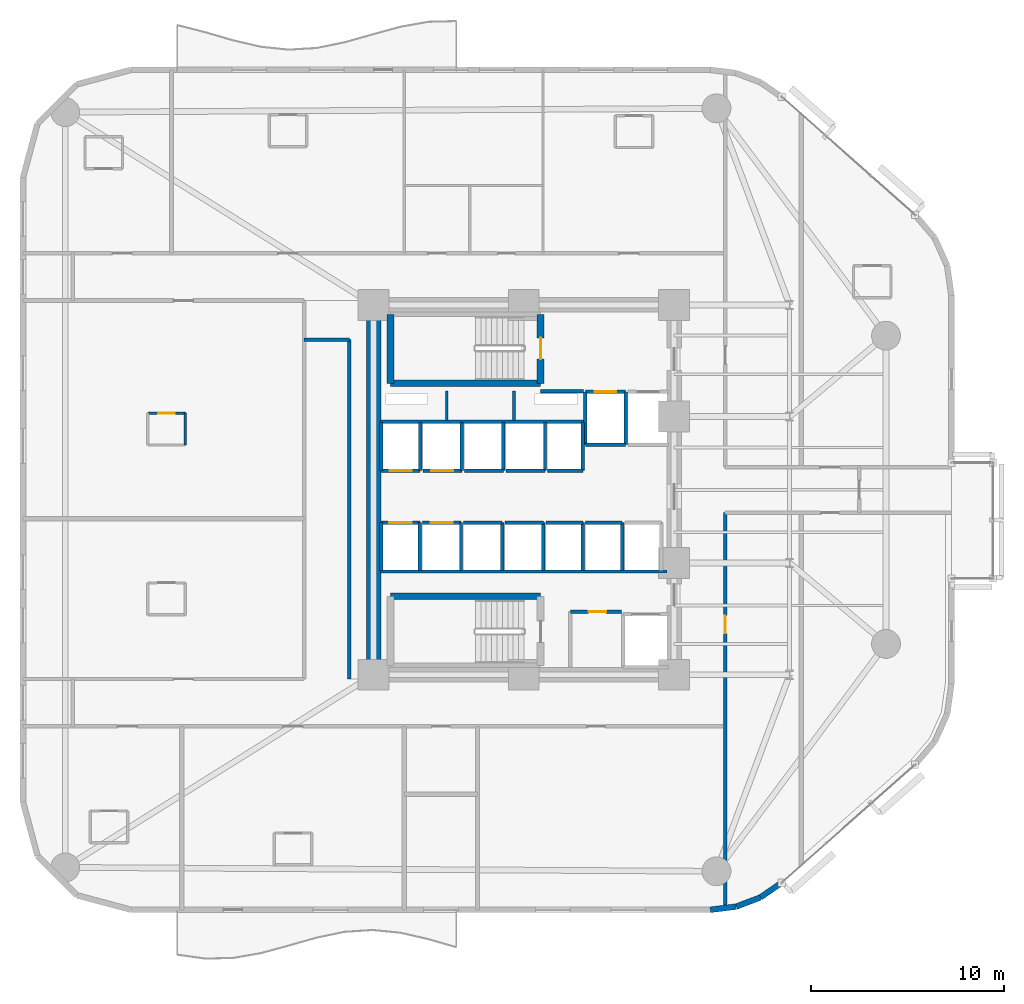
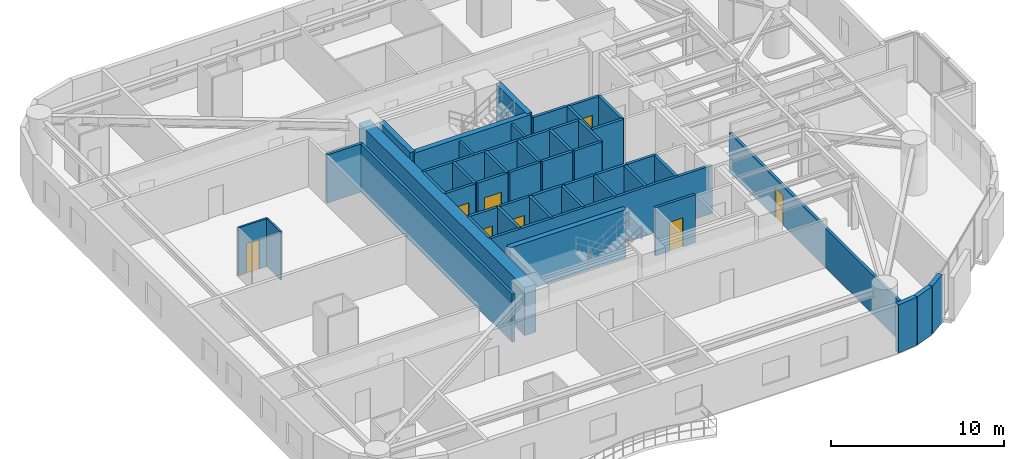
# One storey, part 11 of 17: 47 walls, 9 doors, 9 openings.
"""IFC4 building model written with IfcOpenShell, lengths in metres."""

from ifc_helpers import new_model, si_unit, direction, frame, frame_2d, origin, place, context, subcontext, project, spatial, rectangle, extrude, material, layer, layer_set, type_object, element, fill, save


model = new_model("IFC4")

# Units and contexts
model_context = context("Model", 3, precision=1e-05, world=origin(), true_north=direction((0.0, 1.0)))
body_context = subcontext(model_context, "Body", "Model", "MODEL_VIEW")
ifc_project = project(units=[si_unit("LENGTHUNIT", "METRE"), si_unit("AREAUNIT", "SQUARE_METRE"), si_unit("VOLUMEUNIT", "CUBIC_METRE"), si_unit("PLANEANGLEUNIT", "RADIAN"), si_unit("MASSUNIT", "GRAM", prefix="KILO")], contexts=[model_context])

# Site, building, storey
site_placement = place(None, origin())
site = spatial("IfcSite", under=ifc_project, at=site_placement, CompositionType="ELEMENT")
building_placement = place(site_placement, origin())
building = spatial("IfcBuilding", under=site, at=building_placement, Name="An Khanh Terracotta Commons", CompositionType="ELEMENT")
storey_placement = place(building_placement, frame((0.0, 0.0, 36.0)))
storey = spatial("IfcBuildingStorey", under=building, at=storey_placement, Name="L09", CompositionType="ELEMENT", Elevation=36.0)

# Walls
ifc_material_1 = material(Name="Concrete C70/85", Category="concrete")
ifc_layer_1 = layer(ifc_material_1, 0.75, Name="Concrete C70/85")
ifc_layer_set_1 = layer_set([ifc_layer_1], Name="Concrete C70/85")
wall_type_1 = type_object("IfcWallType", Name="WALL-CORE-750", PredefinedType="SHEAR", material=ifc_layer_set_1)
wall_1_placement = place(storey_placement, frame((21.60009765625, 14.39990234375, 0.0), z_axis=(0.0, 0.0, 1.0), x_axis=(0.0, 1.0, 0.0)))
element("IfcWall", 1, at=wall_1_placement, inside=storey, type_object=wall_type_1, Name="L09 Core Wall CWALL-L09-W", PredefinedType="SHEAR", context=body_context, shape_type="SweptSolid", body=[
    extrude(rectangle(XDim=19.2001953125, YDim=0.75, at=frame_2d((9.60009765625, 0.0))), origin(), (0.0, 0.0, 1.0), 3.39990234375),
])
ifc_material_2 = material(Name="Fire-Rated Gypsum Board on Steel Stud", Category="steel")
ifc_layer_2 = layer(ifc_material_2, 0.179931640625, Name="Fire-Rated Gypsum Board on Steel Stud")
ifc_layer_set_2 = layer_set([ifc_layer_2], Name="Fire-Rated Gypsum Board on Steel Stud")
wall_type_2 = type_object("IfcWallType", Name="WALL-CORR-180", PredefinedType="PARTITIONING", material=ifc_layer_set_2)
wall_2_placement = place(storey_placement, frame((30.27001953125, 29.1201171875, 0.0), z_axis=(0.0, 0.0, 1.0), x_axis=(1.0, 0.0, 0.0)))
element("IfcWall", 2, at=wall_2_placement, inside=storey, type_object=wall_type_2, Name="L09 Core Wall FFLW-L09-S", PredefinedType="PARTITIONING", context=body_context, shape_type="SweptSolid", body=[
    extrude(rectangle(XDim=2.239990234375, YDim=0.179931640625, at=frame_2d((1.1201171875, 0.0))), origin(), (0.0, 0.0, 1.0), 3.39990234375),
])
wall_3_placement = place(storey_placement, frame((21.949951171875, 27.5400390625, 0.0), z_axis=(0.0, 0.0, 1.0), x_axis=(1.0, 0.0, 0.0)))
element("IfcWall", 3, at=wall_3_placement, inside=storey, type_object=wall_type_2, Name="L09 Core Wall RSRW-L09-S", PredefinedType="PARTITIONING", context=body_context, shape_type="SweptSolid", body=[
    extrude(rectangle(XDim=10.56005859375, YDim=0.179931640625, at=frame_2d((5.280029296875, 0.0))), origin(), (0.0, 0.0, 1.0), 3.39990234375),
])
wall_4_placement = place(storey_placement, frame((21.949951171875, 19.760009765625, 0.0), z_axis=(0.0, 0.0, 1.0), x_axis=(1.0, 0.0, 0.0)))
element("IfcWall", 4, at=wall_4_placement, inside=storey, type_object=wall_type_2, Name="L09 Core Wall SVW-L09-N", PredefinedType="PARTITIONING", context=body_context, shape_type="SweptSolid", body=[
    extrude(rectangle(XDim=14.8701171875, YDim=0.179931640625, at=frame_2d((7.43505859375, 0.0))), origin(), (0.0, 0.0, 1.0), 3.39990234375),
])

# Wall, opening, door
wall_5_placement = place(storey_placement, frame((31.820068359375, 17.679931640625, 0.0), z_axis=(0.0, 0.0, 1.0), x_axis=(1.0, 0.0, 0.0)))
wall_5 = element("IfcWall", 5, at=wall_5_placement, inside=storey, type_object=wall_type_2, Name="L09 Core Wall SSVCW-L09-N", PredefinedType="PARTITIONING", context=body_context, shape_type="SweptSolid", body=[
    extrude(rectangle(XDim=2.659912109375, YDim=0.179931640625, at=frame_2d((1.330078125, 0.0))), origin(), (0.0, 0.0, 1.0), 3.39990234375),
])
opening_1_placement = place(wall_5_placement, frame((0.949951171875, 0.0, 0.0)))
opening_1 = element("IfcOpeningElement", 6, at=opening_1_placement, cuts=wall_5, Name="Opening D-SV", PredefinedType="OPENING", context=body_context, shape_type="SweptSolid", body=[
    extrude(rectangle(XDim=0.89990234375, YDim=2.050048828125, at=frame_2d((0.449951171875, 1.02490234375))), frame((0.0, 0.099853515625, 0.0), z_axis=(0.0, -1.0, 0.0), x_axis=(1.0, 0.0, 0.0)), (0.0, 0.0, 1.0), 0.199951171875),
])
ifc_material_3 = material(Name="Fire-Rated Powder-Coated Steel Door", Category="steel")
door_type_1 = type_object("IfcDoorType", Name="DOOR-SERV-900", OperationType="NOTDEFINED", PredefinedType="DOOR", material=ifc_material_3)
door_1_placement = place(opening_1_placement, origin())
door_1 = element("IfcDoor", 7, at=door_1_placement, inside=storey, type_object=door_type_1, Name="L09 Core Housekeeping Store Door", OperationType="SINGLE_SWING_LEFT", OverallHeight=2.050048828125, OverallWidth=0.89990234375, PredefinedType="DOOR", context=body_context, shape_type="SweptSolid", body=[
    extrude(rectangle(XDim=0.89990234375, YDim=2.050048828125, at=frame_2d((0.449951171875, 1.02490234375))), frame((0.0, 0.02490234375, 0.0), z_axis=(0.0, -1.0, 0.0), x_axis=(1.0, 0.0, 0.0)), (0.0, 0.0, 1.0), 0.050048828125),
])
fill(opening_1, door_1)

wall_6_placement = place(storey_placement, frame((32.60009765625, 29.080078125, 0.0), z_axis=(0.0, 0.0, 1.0), x_axis=(1.0, 0.0, 0.0)))
wall_6 = element("IfcWall", 8, at=wall_6_placement, inside=storey, type_object=wall_type_2, Name="L09 Core Wall LSH-L09-FFL-01-N", PredefinedType="PARTITIONING", context=body_context, shape_type="SweptSolid", body=[
    extrude(rectangle(XDim=2.079833984375, YDim=0.179931640625, at=frame_2d((1.0400390625, 0.0))), origin(), (0.0, 0.0, 1.0), 3.39990234375),
])
opening_2_placement = place(wall_6_placement, frame((0.489990234375, 0.0, 0.0)))
opening_2 = element("IfcOpeningElement", 9, at=opening_2_placement, cuts=wall_6, Name="Opening LD-FFL-01-L09", PredefinedType="OPENING", context=body_context, shape_type="SweptSolid", body=[
    extrude(rectangle(XDim=1.10009765625, YDim=2.199951171875, at=frame_2d((0.550048828125, 1.10009765625))), frame((0.0, 0.099853515625, 0.0), z_axis=(0.0, -1.0, 0.0), x_axis=(1.0, 0.0, 0.0)), (0.0, 0.0, 1.0), 0.199951171875),
])
ifc_material_4 = material(Name="Brushed Stainless Steel Fire Landing Door", Category="steel")
door_type_2 = type_object("IfcDoorType", Name="DOOR-LD-FFL-1100", OperationType="NOTDEFINED", PredefinedType="DOOR", material=ifc_material_4)
door_2_placement = place(opening_2_placement, origin())
door_2 = element("IfcDoor", 10, at=door_2_placement, inside=storey, type_object=door_type_2, Name="L09 Lift FFL-01 Sliding Landing Door", OperationType="DOUBLE_DOOR_SLIDING", OverallHeight=2.199951171875, OverallWidth=1.10009765625, PredefinedType="DOOR", context=body_context, shape_type="SweptSolid", body=[
    extrude(rectangle(XDim=1.10009765625, YDim=2.199951171875, at=frame_2d((0.550048828125, 1.10009765625))), frame((0.0, 0.02490234375, 0.0), z_axis=(0.0, -1.0, 0.0), x_axis=(1.0, 0.0, 0.0)), (0.0, 0.0, 1.0), 0.050048828125),
])
fill(opening_2, door_2)

# Walls
wall_7_placement = place(storey_placement, frame((34.679931640625, 26.35009765625, 0.0), z_axis=(0.0, 0.0, 1.0), x_axis=(-1.0, 0.0, 0.0)))
element("IfcWall", 11, at=wall_7_placement, inside=storey, type_object=wall_type_2, Name="L09 Core Wall LSH-L09-FFL-01-S", PredefinedType="PARTITIONING", context=body_context, shape_type="SweptSolid", body=[
    extrude(rectangle(XDim=2.079833984375, YDim=0.179931640625, at=frame_2d((1.0400390625, 0.0))), origin(), (0.0, 0.0, 1.0), 3.39990234375),
])
for number, where, z_axis, x_axis, name in (
    (12, (34.679931640625, 26.35009765625, 0.0), (0.0, 0.0, 1.0), (0.0, 1.0, 0.0), "L09 Core Wall LSH-L09-FFL-01-E"),
    (13, (32.60009765625, 29.080078125, 0.0), (0.0, 0.0, 1.0), (0.0, -1.0, 0.0), "L09 Core Wall LSH-L09-FFL-01-W"),
):
    element("IfcWall", number, at=place(storey_placement, frame(where, z_axis=z_axis, x_axis=x_axis)), inside=storey, type_object=wall_type_2, Name=name, PredefinedType="PARTITIONING", context=body_context, shape_type="SweptSolid", body=[
        extrude(rectangle(XDim=2.72998046875, YDim=0.179931640625, at=frame_2d((1.364990234375, 0.0))), origin(), (0.0, 0.0, 1.0), 3.39990234375),
    ])

# Wall, opening, door
wall_8_placement = place(storey_placement, frame((24.02001953125, 25.0, 0.0), z_axis=(0.0, 0.0, 1.0), x_axis=(-1.0, 0.0, 0.0)))
wall_8 = element("IfcWall", 14, at=wall_8_placement, inside=storey, type_object=wall_type_2, Name="L09 Core Wall LSH-L09-PL-L1-S", PredefinedType="PARTITIONING", context=body_context, shape_type="SweptSolid", body=[
    extrude(rectangle(XDim=2.02001953125, YDim=0.179931640625, at=frame_2d((1.010009765625, 0.0))), origin(), (0.0, 0.0, 1.0), 3.39990234375),
])
opening_3_placement = place(wall_8_placement, frame((0.43505859375, 0.0, 0.0)))
opening_3 = element("IfcOpeningElement", 15, at=opening_3_placement, cuts=wall_8, Name="Opening LD-PL-L1-L09", PredefinedType="OPENING", context=body_context, shape_type="SweptSolid", body=[
    extrude(rectangle(XDim=1.14990234375, YDim=2.199951171875, at=frame_2d((0.574951171875, 1.10009765625))), frame((0.0, 0.099853515625, 0.0), z_axis=(0.0, -1.0, 0.0), x_axis=(1.0, 0.0, 0.0)), (0.0, 0.0, 1.0), 0.199951171875),
])
ifc_material_5 = material(Name="Brushed Stainless Steel Passenger Landing Door", Category="steel")
door_type_3 = type_object("IfcDoorType", Name="DOOR-LD-PAX-1150", OperationType="NOTDEFINED", PredefinedType="DOOR", material=ifc_material_5)
door_3_placement = place(opening_3_placement, origin())
door_3 = element("IfcDoor", 16, at=door_3_placement, inside=storey, type_object=door_type_3, Name="L09 Lift PL-L1 Sliding Landing Door", OperationType="DOUBLE_DOOR_SLIDING", OverallHeight=2.199951171875, OverallWidth=1.14990234375, PredefinedType="DOOR", context=body_context, shape_type="SweptSolid", body=[
    extrude(rectangle(XDim=1.14990234375, YDim=2.199951171875, at=frame_2d((0.574951171875, 1.10009765625))), frame((0.0, 0.02490234375, 0.0), z_axis=(0.0, -1.0, 0.0), x_axis=(1.0, 0.0, 0.0)), (0.0, 0.0, 1.0), 0.050048828125),
])
fill(opening_3, door_3)

# Walls
for number, where, z_axis, x_axis, name in (
    (17, (24.02001953125, 25.0, 0.0), (0.0, 0.0, 1.0), (0.0, 1.0, 0.0), "L09 Core Wall LSH-L09-PL-L1-E"),
    (18, (22.0, 27.5, 0.0), (0.0, 0.0, 1.0), (0.0, -1.0, 0.0), "L09 Core Wall LSH-L09-PL-L1-W"),
):
    element("IfcWall", number, at=place(storey_placement, frame(where, z_axis=z_axis, x_axis=x_axis)), inside=storey, type_object=wall_type_2, Name=name, PredefinedType="PARTITIONING", context=body_context, shape_type="SweptSolid", body=[
        extrude(rectangle(XDim=2.5, YDim=0.179931640625, at=frame_2d((1.25, 0.0))), origin(), (0.0, 0.0, 1.0), 3.39990234375),
    ])

# Wall, opening, door
wall_9_placement = place(storey_placement, frame((26.179931640625, 25.0, 0.0), z_axis=(0.0, 0.0, 1.0), x_axis=(-1.0, 0.0, 0.0)))
wall_9 = element("IfcWall", 19, at=wall_9_placement, inside=storey, type_object=wall_type_2, Name="L09 Core Wall LSH-L09-PL-L2-S", PredefinedType="PARTITIONING", context=body_context, shape_type="SweptSolid", body=[
    extrude(rectangle(XDim=2.02001953125, YDim=0.179931640625, at=frame_2d((1.010009765625, 0.0))), origin(), (0.0, 0.0, 1.0), 3.39990234375),
])
opening_4_placement = place(wall_9_placement, frame((0.43505859375, 0.0, 0.0)))
opening_4 = element("IfcOpeningElement", 20, at=opening_4_placement, cuts=wall_9, Name="Opening LD-PL-L2-L09", PredefinedType="OPENING", context=body_context, shape_type="SweptSolid", body=[
    extrude(rectangle(XDim=1.14990234375, YDim=2.199951171875, at=frame_2d((0.574951171875, 1.10009765625))), frame((0.0, 0.099853515625, 0.0), z_axis=(0.0, -1.0, 0.0), x_axis=(1.0, 0.0, 0.0)), (0.0, 0.0, 1.0), 0.199951171875),
])
door_4_placement = place(opening_4_placement, origin())
door_4 = element("IfcDoor", 21, at=door_4_placement, inside=storey, type_object=door_type_3, Name="L09 Lift PL-L2 Sliding Landing Door", OperationType="DOUBLE_DOOR_SLIDING", OverallHeight=2.199951171875, OverallWidth=1.14990234375, PredefinedType="DOOR", context=body_context, shape_type="SweptSolid", body=[
    extrude(rectangle(XDim=1.14990234375, YDim=2.199951171875, at=frame_2d((0.574951171875, 1.10009765625))), frame((0.0, 0.02490234375, 0.0), z_axis=(0.0, -1.0, 0.0), x_axis=(1.0, 0.0, 0.0)), (0.0, 0.0, 1.0), 0.050048828125),
])
fill(opening_4, door_4)

# Wall
wall_10_placement = place(storey_placement, frame((26.179931640625, 25.0, 0.0), z_axis=(0.0, 0.0, 1.0), x_axis=(0.0, 1.0, 0.0)))
element("IfcWall", 22, at=wall_10_placement, inside=storey, type_object=wall_type_2, Name="L09 Core Wall LSH-L09-PL-L2-E", PredefinedType="PARTITIONING", context=body_context, shape_type="SweptSolid", body=[
    extrude(rectangle(XDim=2.5, YDim=0.179931640625, at=frame_2d((1.25, 0.0))), origin(), (0.0, 0.0, 1.0), 3.39990234375),
])

# Wall, opening, door
wall_11_placement = place(storey_placement, frame((22.0, 22.300048828125, 0.0), z_axis=(0.0, 0.0, 1.0), x_axis=(1.0, 0.0, 0.0)))
wall_11 = element("IfcWall", 23, at=wall_11_placement, inside=storey, type_object=wall_type_2, Name="L09 Core Wall LSH-L09-PL-L3-N", PredefinedType="PARTITIONING", context=body_context, shape_type="SweptSolid", body=[
    extrude(rectangle(XDim=2.0, YDim=0.179931640625, at=frame_2d((1.0, 0.0))), origin(), (0.0, 0.0, 1.0), 3.39990234375),
])
opening_5_placement = place(wall_11_placement, frame((0.425048828125, 0.0, 0.0)))
opening_5 = element("IfcOpeningElement", 24, at=opening_5_placement, cuts=wall_11, Name="Opening LD-PL-L3-L09", PredefinedType="OPENING", context=body_context, shape_type="SweptSolid", body=[
    extrude(rectangle(XDim=1.14990234375, YDim=2.199951171875, at=frame_2d((0.574951171875, 1.10009765625))), frame((0.0, 0.099853515625, 0.0), z_axis=(0.0, -1.0, 0.0), x_axis=(1.0, 0.0, 0.0)), (0.0, 0.0, 1.0), 0.199951171875),
])
door_5_placement = place(opening_5_placement, origin())
door_5 = element("IfcDoor", 25, at=door_5_placement, inside=storey, type_object=door_type_3, Name="L09 Lift PL-L3 Sliding Landing Door", OperationType="DOUBLE_DOOR_SLIDING", OverallHeight=2.199951171875, OverallWidth=1.14990234375, PredefinedType="DOOR", context=body_context, shape_type="SweptSolid", body=[
    extrude(rectangle(XDim=1.14990234375, YDim=2.199951171875, at=frame_2d((0.574951171875, 1.10009765625))), frame((0.0, 0.02490234375, 0.0), z_axis=(0.0, -1.0, 0.0), x_axis=(1.0, 0.0, 0.0)), (0.0, 0.0, 1.0), 0.050048828125),
])
fill(opening_5, door_5)

# Walls
for number, where, z_axis, x_axis, name in (
    (26, (24.0, 19.800048828125, 0.0), (0.0, 0.0, 1.0), (0.0, 1.0, 0.0), "L09 Core Wall LSH-L09-PL-L3-E"),
    (27, (22.0, 22.300048828125, 0.0), (0.0, 0.0, 1.0), (0.0, -1.0, 0.0), "L09 Core Wall LSH-L09-PL-L3-W"),
):
    element("IfcWall", number, at=place(storey_placement, frame(where, z_axis=z_axis, x_axis=x_axis)), inside=storey, type_object=wall_type_2, Name=name, PredefinedType="PARTITIONING", context=body_context, shape_type="SweptSolid", body=[
        extrude(rectangle(XDim=2.5, YDim=0.179931640625, at=frame_2d((1.25, 0.0))), origin(), (0.0, 0.0, 1.0), 3.39990234375),
    ])

# Wall, opening, door
wall_12_placement = place(storey_placement, frame((24.139892578125, 22.300048828125, 0.0), z_axis=(0.0, 0.0, 1.0), x_axis=(1.0, 0.0, 0.0)))
wall_12 = element("IfcWall", 28, at=wall_12_placement, inside=storey, type_object=wall_type_2, Name="L09 Core Wall LSH-L09-PL-L4-N", PredefinedType="PARTITIONING", context=body_context, shape_type="SweptSolid", body=[
    extrude(rectangle(XDim=2.0, YDim=0.179931640625, at=frame_2d((1.0, 0.0))), origin(), (0.0, 0.0, 1.0), 3.39990234375),
])
opening_6_placement = place(wall_12_placement, frame((0.425048828125, 0.0, 0.0)))
opening_6 = element("IfcOpeningElement", 29, at=opening_6_placement, cuts=wall_12, Name="Opening LD-PL-L4-L09", PredefinedType="OPENING", context=body_context, shape_type="SweptSolid", body=[
    extrude(rectangle(XDim=1.14990234375, YDim=2.199951171875, at=frame_2d((0.574951171875, 1.10009765625))), frame((0.0, 0.099853515625, 0.0), z_axis=(0.0, -1.0, 0.0), x_axis=(1.0, 0.0, 0.0)), (0.0, 0.0, 1.0), 0.199951171875),
])
door_6_placement = place(opening_6_placement, origin())
door_6 = element("IfcDoor", 30, at=door_6_placement, inside=storey, type_object=door_type_3, Name="L09 Lift PL-L4 Sliding Landing Door", OperationType="DOUBLE_DOOR_SLIDING", OverallHeight=2.199951171875, OverallWidth=1.14990234375, PredefinedType="DOOR", context=body_context, shape_type="SweptSolid", body=[
    extrude(rectangle(XDim=1.14990234375, YDim=2.199951171875, at=frame_2d((0.574951171875, 1.10009765625))), frame((0.0, 0.02490234375, 0.0), z_axis=(0.0, -1.0, 0.0), x_axis=(1.0, 0.0, 0.0)), (0.0, 0.0, 1.0), 0.050048828125),
])
fill(opening_6, door_6)

# Walls
wall_13_placement = place(storey_placement, frame((26.139892578125, 19.800048828125, 0.0), z_axis=(0.0, 0.0, 1.0), x_axis=(0.0, 1.0, 0.0)))
element("IfcWall", 31, at=wall_13_placement, inside=storey, type_object=wall_type_2, Name="L09 Core Wall LSH-L09-PL-L4-E", PredefinedType="PARTITIONING", context=body_context, shape_type="SweptSolid", body=[
    extrude(rectangle(XDim=2.5, YDim=0.179931640625, at=frame_2d((1.25, 0.0))), origin(), (0.0, 0.0, 1.0), 3.39990234375),
])
wall_14_placement = place(storey_placement, frame((28.340087890625, 25.0, 0.0), z_axis=(0.0, 0.0, 1.0), x_axis=(-1.0, 0.0, 0.0)))
element("IfcWall", 32, at=wall_14_placement, inside=storey, type_object=wall_type_2, Name="L09 Core Wall LSH-L09-PL-M1-S", PredefinedType="PARTITIONING", context=body_context, shape_type="SweptSolid", body=[
    extrude(rectangle(XDim=2.02001953125, YDim=0.179931640625, at=frame_2d((1.010009765625, 0.0))), origin(), (0.0, 0.0, 1.0), 3.39990234375),
])
wall_15_placement = place(storey_placement, frame((28.340087890625, 25.0, 0.0), z_axis=(0.0, 0.0, 1.0), x_axis=(0.0, 1.0, 0.0)))
element("IfcWall", 33, at=wall_15_placement, inside=storey, type_object=wall_type_2, Name="L09 Core Wall LSH-L09-PL-M1-E", PredefinedType="PARTITIONING", context=body_context, shape_type="SweptSolid", body=[
    extrude(rectangle(XDim=2.5, YDim=0.179931640625, at=frame_2d((1.25, 0.0))), origin(), (0.0, 0.0, 1.0), 3.39990234375),
])
wall_16_placement = place(storey_placement, frame((30.5, 25.0, 0.0), z_axis=(0.0, 0.0, 1.0), x_axis=(-1.0, 0.0, 0.0)))
element("IfcWall", 34, at=wall_16_placement, inside=storey, type_object=wall_type_2, Name="L09 Core Wall LSH-L09-PL-M2-S", PredefinedType="PARTITIONING", context=body_context, shape_type="SweptSolid", body=[
    extrude(rectangle(XDim=2.02001953125, YDim=0.179931640625, at=frame_2d((1.010009765625, 0.0))), origin(), (0.0, 0.0, 1.0), 3.39990234375),
])
wall_17_placement = place(storey_placement, frame((30.5, 25.0, 0.0), z_axis=(0.0, 0.0, 1.0), x_axis=(0.0, 1.0, 0.0)))
element("IfcWall", 35, at=wall_17_placement, inside=storey, type_object=wall_type_2, Name="L09 Core Wall LSH-L09-PL-M2-E", PredefinedType="PARTITIONING", context=body_context, shape_type="SweptSolid", body=[
    extrude(rectangle(XDim=2.5, YDim=0.179931640625, at=frame_2d((1.25, 0.0))), origin(), (0.0, 0.0, 1.0), 3.39990234375),
])
wall_18_placement = place(storey_placement, frame((26.280029296875, 22.300048828125, 0.0), z_axis=(0.0, 0.0, 1.0), x_axis=(1.0, 0.0, 0.0)))
element("IfcWall", 36, at=wall_18_placement, inside=storey, type_object=wall_type_2, Name="L09 Core Wall LSH-L09-PL-M3-N", PredefinedType="PARTITIONING", context=body_context, shape_type="SweptSolid", body=[
    extrude(rectangle(XDim=2.0, YDim=0.179931640625, at=frame_2d((1.0, 0.0))), origin(), (0.0, 0.0, 1.0), 3.39990234375),
])
wall_19_placement = place(storey_placement, frame((28.280029296875, 19.800048828125, 0.0), z_axis=(0.0, 0.0, 1.0), x_axis=(0.0, 1.0, 0.0)))
element("IfcWall", 37, at=wall_19_placement, inside=storey, type_object=wall_type_2, Name="L09 Core Wall LSH-L09-PL-M3-E", PredefinedType="PARTITIONING", context=body_context, shape_type="SweptSolid", body=[
    extrude(rectangle(XDim=2.5, YDim=0.179931640625, at=frame_2d((1.25, 0.0))), origin(), (0.0, 0.0, 1.0), 3.39990234375),
])
wall_20_placement = place(storey_placement, frame((28.419921875, 22.300048828125, 0.0), z_axis=(0.0, 0.0, 1.0), x_axis=(1.0, 0.0, 0.0)))
element("IfcWall", 38, at=wall_20_placement, inside=storey, type_object=wall_type_2, Name="L09 Core Wall LSH-L09-PL-M4-N", PredefinedType="PARTITIONING", context=body_context, shape_type="SweptSolid", body=[
    extrude(rectangle(XDim=2.0, YDim=0.179931640625, at=frame_2d((1.0, 0.0))), origin(), (0.0, 0.0, 1.0), 3.39990234375),
])
wall_21_placement = place(storey_placement, frame((30.419921875, 19.800048828125, 0.0), z_axis=(0.0, 0.0, 1.0), x_axis=(0.0, 1.0, 0.0)))
element("IfcWall", 39, at=wall_21_placement, inside=storey, type_object=wall_type_2, Name="L09 Core Wall LSH-L09-PL-M4-E", PredefinedType="PARTITIONING", context=body_context, shape_type="SweptSolid", body=[
    extrude(rectangle(XDim=2.5, YDim=0.179931640625, at=frame_2d((1.25, 0.0))), origin(), (0.0, 0.0, 1.0), 3.39990234375),
])
wall_22_placement = place(storey_placement, frame((32.4599609375, 25.0, 0.0), z_axis=(0.0, 0.0, 1.0), x_axis=(-1.0, 0.0, 0.0)))
element("IfcWall", 40, at=wall_22_placement, inside=storey, type_object=wall_type_2, Name="L09 Core Wall LSH-L09-PL-H1-S", PredefinedType="PARTITIONING", context=body_context, shape_type="SweptSolid", body=[
    extrude(rectangle(XDim=1.820068359375, YDim=0.179931640625, at=frame_2d((0.91015625, 0.0))), origin(), (0.0, 0.0, 1.0), 3.39990234375),
])
wall_23_placement = place(storey_placement, frame((32.4599609375, 25.0, 0.0), z_axis=(0.0, 0.0, 1.0), x_axis=(0.0, 1.0, 0.0)))
element("IfcWall", 41, at=wall_23_placement, inside=storey, type_object=wall_type_2, Name="L09 Core Wall LSH-L09-PL-H1-E", PredefinedType="PARTITIONING", context=body_context, shape_type="SweptSolid", body=[
    extrude(rectangle(XDim=2.5, YDim=0.179931640625, at=frame_2d((1.25, 0.0))), origin(), (0.0, 0.0, 1.0), 3.39990234375),
])
wall_24_placement = place(storey_placement, frame((30.56005859375, 22.300048828125, 0.0), z_axis=(0.0, 0.0, 1.0), x_axis=(1.0, 0.0, 0.0)))
element("IfcWall", 42, at=wall_24_placement, inside=storey, type_object=wall_type_2, Name="L09 Core Wall LSH-L09-PL-H2-N", PredefinedType="PARTITIONING", context=body_context, shape_type="SweptSolid", body=[
    extrude(rectangle(XDim=1.89990234375, YDim=0.179931640625, at=frame_2d((0.949951171875, 0.0))), origin(), (0.0, 0.0, 1.0), 3.39990234375),
])
wall_25_placement = place(storey_placement, frame((32.4599609375, 19.800048828125, 0.0), z_axis=(0.0, 0.0, 1.0), x_axis=(0.0, 1.0, 0.0)))
element("IfcWall", 43, at=wall_25_placement, inside=storey, type_object=wall_type_2, Name="L09 Core Wall LSH-L09-PL-H2-E", PredefinedType="PARTITIONING", context=body_context, shape_type="SweptSolid", body=[
    extrude(rectangle(XDim=2.5, YDim=0.179931640625, at=frame_2d((1.25, 0.0))), origin(), (0.0, 0.0, 1.0), 3.39990234375),
])
wall_26_placement = place(storey_placement, frame((32.60009765625, 22.300048828125, 0.0), z_axis=(0.0, 0.0, 1.0), x_axis=(1.0, 0.0, 0.0)))
element("IfcWall", 44, at=wall_26_placement, inside=storey, type_object=wall_type_2, Name="L09 Core Wall LSH-L09-PL-H3-N", PredefinedType="PARTITIONING", context=body_context, shape_type="SweptSolid", body=[
    extrude(rectangle(XDim=1.89990234375, YDim=0.179931640625, at=frame_2d((0.949951171875, 0.0))), origin(), (0.0, 0.0, 1.0), 3.39990234375),
])
wall_27_placement = place(storey_placement, frame((34.5, 19.800048828125, 0.0), z_axis=(0.0, 0.0, 1.0), x_axis=(0.0, 1.0, 0.0)))
element("IfcWall", 45, at=wall_27_placement, inside=storey, type_object=wall_type_2, Name="L09 Core Wall LSH-L09-PL-H3-E", PredefinedType="PARTITIONING", context=body_context, shape_type="SweptSolid", body=[
    extrude(rectangle(XDim=2.5, YDim=0.179931640625, at=frame_2d((1.25, 0.0))), origin(), (0.0, 0.0, 1.0), 3.39990234375),
])
wall_28_placement = place(storey_placement, frame((18.0, 31.800048828125, 0.0), z_axis=(0.0, 0.0, 1.0), x_axis=(1.0, 0.0, 0.0)))
element("IfcWall", 46, at=wall_28_placement, inside=storey, type_object=wall_type_2, Name="L09 Interior Partition IW-L09-E007", PredefinedType="PARTITIONING", context=body_context, shape_type="SweptSolid", body=[
    extrude(rectangle(XDim=2.35009765625, YDim=0.179931640625, at=frame_2d((1.175048828125, 0.0))), origin(), (0.0, 0.0, 1.0), 3.39990234375),
])
wall_29_placement = place(storey_placement, frame((20.35009765625, 14.179931640625, 0.0), z_axis=(0.0, 0.0, 1.0), x_axis=(0.0, 1.0, 0.0)))
element("IfcWall", 47, at=wall_29_placement, inside=storey, type_object=wall_type_2, Name="L09 Interior Partition IW-L09-E016", PredefinedType="PARTITIONING", context=body_context, shape_type="SweptSolid", body=[
    extrude(rectangle(XDim=17.6201171875, YDim=0.179931640625, at=frame_2d((8.81005859375, 0.0))), origin(), (0.0, 0.0, 1.0), 3.39990234375),
])

# Wall, opening, door
wall_30_placement = place(storey_placement, frame((39.85009765625, 2.29296875, 0.0), z_axis=(0.0, 0.0, 1.0), x_axis=(0.0, 1.0, 0.0)))
wall_30 = element("IfcWall", 48, at=wall_30_placement, inside=storey, type_object=wall_type_2, Name="L09 Interior Partition IW-L09-E022", PredefinedType="PARTITIONING", context=body_context, shape_type="SweptSolid", body=[
    extrude(rectangle(XDim=20.527099609375, YDim=0.179931640625, at=frame_2d((10.263671875, 0.0))), origin(), (0.0, 0.0, 1.0), 2.781982421875),
])
opening_7_placement = place(wall_30_placement, frame((14.257080078125, 0.0, 0.0)))
opening_7 = element("IfcOpeningElement", 49, at=opening_7_placement, cuts=wall_30, Name="Opening D-RM", PredefinedType="OPENING", context=body_context, shape_type="SweptSolid", body=[
    extrude(rectangle(XDim=0.919921875, YDim=2.10009765625, at=frame_2d((0.4599609375, 1.050048828125))), frame((0.0, 0.099853515625, 0.0), z_axis=(0.0, -1.0, 0.0), x_axis=(1.0, 0.0, 0.0)), (0.0, 0.0, 1.0), 0.199951171875),
])
ifc_material_6 = material(Name="Engineered Hardwood Timber Leaf", Category="wood")
door_type_4 = type_object("IfcDoorType", Name="DOOR-INT-920", OperationType="NOTDEFINED", PredefinedType="DOOR", material=ifc_material_6)
door_7_placement = place(opening_7_placement, origin())
door_7 = element("IfcDoor", 50, at=door_7_placement, inside=storey, type_object=door_type_4, Name="L09 SB1 Quiet Focus Office Door", OperationType="SINGLE_SWING_RIGHT", OverallHeight=2.10009765625, OverallWidth=0.919921875, PredefinedType="DOOR", context=body_context, shape_type="SweptSolid", body=[
    extrude(rectangle(XDim=0.919921875, YDim=2.10009765625, at=frame_2d((0.4599609375, 1.050048828125))), frame((0.0, 0.02490234375, 0.0), z_axis=(0.0, -1.0, 0.0), x_axis=(1.0, 0.0, 0.0)), (0.0, 0.0, 1.0), 0.050048828125),
])
fill(opening_7, door_7)

# Walls
ifc_material_7 = material(Name="Precast concrete C40/50", Category="concrete")
ifc_layer_3 = layer(ifc_material_7, 0.300048828125, Name="Precast concrete C40/50")
ifc_layer_set_3 = layer_set([ifc_layer_3], Name="Precast concrete C40/50")
wall_type_3 = type_object("IfcWallType", Name="WALL-EXT-300", PredefinedType="SOLIDWALL", material=ifc_layer_set_3)
wall_31_placement = place(storey_placement, frame((39.0791015625, 2.199951171875, 0.0), z_axis=(0.0, 0.0, 1.0), x_axis=(0.992739027259, 0.120288086515, 0.0)))
element("IfcWall", 51, at=wall_31_placement, inside=storey, type_object=wall_type_3, Name="L09 Insulated Terracotta Exterior Wall 5", PredefinedType="SOLIDWALL", context=body_context, shape_type="SweptSolid", body=[
    extrude(rectangle(XDim=1.34765625, YDim=0.300048828125, at=frame_2d((0.673828125, 0.0))), origin(), (0.0, 0.0, 1.0), 3.39990234375),
])
wall_32_placement = place(storey_placement, frame((40.4169921875, 2.362060546875, 0.0), z_axis=(0.0, 0.0, 1.0), x_axis=(0.935156721165, 0.354234254216, 0.0)))
element("IfcWall", 52, at=wall_32_placement, inside=storey, type_object=wall_type_3, Name="L09 Insulated Terracotta Exterior Wall 6", PredefinedType="SOLIDWALL", context=body_context, shape_type="SweptSolid", body=[
    extrude(rectangle(XDim=1.349365234375, YDim=0.300048828125, at=frame_2d((0.6748046875, 0.0))), origin(), (0.0, 0.0, 1.0), 3.39990234375),
])
wall_33_placement = place(storey_placement, frame((41.678955078125, 2.840087890625, 0.0), z_axis=(0.0, 0.0, 1.0), x_axis=(0.823116500192, 0.567872544777, 0.0)))
element("IfcWall", 53, at=wall_33_placement, inside=storey, type_object=wall_type_3, Name="L09 Insulated Terracotta Exterior Wall 7", PredefinedType="SOLIDWALL", context=body_context, shape_type="SweptSolid", body=[
    extrude(rectangle(XDim=1.3486328125, YDim=0.300048828125, at=frame_2d((0.67431640625, 0.0))), origin(), (0.0, 0.0, 1.0), 3.39990234375),
])
ifc_material_8 = material(Name="Acoustic Gypsum Board Partition")
ifc_layer_4 = layer(ifc_material_8, 0.14990234375, Name="Acoustic Gypsum Board Partition")
ifc_layer_set_4 = layer_set([ifc_layer_4], Name="Acoustic Gypsum Board Partition")
wall_type_4 = type_object("IfcWallType", Name="WALL-PART-150", PredefinedType="PARTITIONING", material=ifc_layer_set_4)
for number, where, z_axis, x_axis, name in (
    (54, (25.39990234375, 27.60009765625, 0.0), (0.0, 0.0, 1.0), (0.0, 1.0, 0.0), "L09 Core Wall RSRW-L09-D1"),
    (55, (28.89990234375, 27.60009765625, 0.0), (0.0, 0.0, 1.0), (0.0, 1.0, 0.0), "L09 Core Wall RSRW-L09-D2"),
):
    element("IfcWall", number, at=place(storey_placement, frame(where, z_axis=z_axis, x_axis=x_axis)), inside=storey, type_object=wall_type_4, Name=name, PredefinedType="PARTITIONING", context=body_context, shape_type="SweptSolid", body=[
        extrude(rectangle(XDim=1.52001953125, YDim=0.14990234375, at=frame_2d((0.760009765625, 0.0))), origin(), (0.0, 0.0, 1.0), 3.39990234375),
    ])
ifc_material_9 = material(Name="Concrete C50/60", Category="concrete")
ifc_layer_5 = layer(ifc_material_9, 0.35009765625, Name="Concrete C50/60")
ifc_layer_set_5 = layer_set([ifc_layer_5], Name="Concrete C50/60")
wall_type_5 = type_object("IfcWallType", Name="WALL-SHAFT-350", PredefinedType="SOLIDWALL", material=ifc_layer_set_5)
wall_34_placement = place(storey_placement, frame((22.47998046875, 29.530029296875, 0.0), z_axis=(0.0, 0.0, 1.0), x_axis=(1.0, 0.0, 0.0)))
element("IfcWall", 56, at=wall_34_placement, inside=storey, type_object=wall_type_5, Name="L09 Core Wall STW-L09-N-S", PredefinedType="SOLIDWALL", context=body_context, shape_type="SweptSolid", body=[
    extrude(rectangle(XDim=7.7900390625, YDim=0.35009765625, at=frame_2d((3.89501953125, 0.0))), origin(), (0.0, 0.0, 1.0), 3.39990234375),
])
wall_35_placement = place(storey_placement, frame((22.47998046875, 29.530029296875, 0.0), z_axis=(0.0, 0.0, 1.0), x_axis=(0.0, 1.0, 0.0)))
element("IfcWall", 57, at=wall_35_placement, inside=storey, type_object=wall_type_5, Name="L09 Core Wall STW-L09-N-W", PredefinedType="SOLIDWALL", context=body_context, shape_type="SweptSolid", body=[
    extrude(rectangle(XDim=3.580078125, YDim=0.35009765625, at=frame_2d((1.7900390625, 0.0))), origin(), (0.0, 0.0, 1.0), 3.39990234375),
])

# Wall, opening, door
wall_36_placement = place(storey_placement, frame((30.27001953125, 29.530029296875, 0.0), z_axis=(0.0, 0.0, 1.0), x_axis=(0.0, 1.0, 0.0)))
wall_36 = element("IfcWall", 58, at=wall_36_placement, inside=storey, type_object=wall_type_5, Name="L09 Core Wall STW-L09-N-E", PredefinedType="SOLIDWALL", context=body_context, shape_type="SweptSolid", body=[
    extrude(rectangle(XDim=3.580078125, YDim=0.35009765625, at=frame_2d((1.7900390625, 0.0))), origin(), (0.0, 0.0, 1.0), 3.39990234375),
])
opening_8_placement = place(wall_36_placement, frame((1.25, 0.0, 0.0)))
opening_8 = element("IfcOpeningElement", 59, at=opening_8_placement, cuts=wall_36, Name="Opening D-ST", PredefinedType="OPENING", context=body_context, shape_type="SweptSolid", body=[
    extrude(rectangle(XDim=1.10009765625, YDim=2.14990234375, at=frame_2d((0.550048828125, 1.074951171875))), frame((0.0, 0.18505859375, 0.0), z_axis=(0.0, -1.0, 0.0), x_axis=(1.0, 0.0, 0.0)), (0.0, 0.0, 1.0), 0.3701171875),
])
ifc_material_10 = material(Name="Fire-Rated Steel Leaf and Frame", Category="steel")
door_type_5 = type_object("IfcDoorType", Name="DOOR-STAIR-1100", OperationType="NOTDEFINED", PredefinedType="DOOR", material=ifc_material_10)
door_8_placement = place(opening_8_placement, origin())
door_8 = element("IfcDoor", 60, at=door_8_placement, inside=storey, type_object=door_type_5, Name="L09 Stair ST-01 Fire Door", OperationType="SINGLE_SWING_LEFT", OverallHeight=2.14990234375, OverallWidth=1.10009765625, PredefinedType="DOOR", context=body_context, shape_type="SweptSolid", body=[
    extrude(rectangle(XDim=1.10009765625, YDim=2.14990234375, at=frame_2d((0.550048828125, 1.074951171875))), frame((0.0, 0.02490234375, 0.0), z_axis=(0.0, -1.0, 0.0), x_axis=(1.0, 0.0, 0.0)), (0.0, 0.0, 1.0), 0.050048828125),
])
fill(opening_8, door_8)

# Wall
wall_37_placement = place(storey_placement, frame((22.47998046875, 18.469970703125, 0.0), z_axis=(0.0, 0.0, 1.0), x_axis=(1.0, 0.0, 0.0)))
element("IfcWall", 61, at=wall_37_placement, inside=storey, type_object=wall_type_5, Name="L09 Core Wall STW-L09-S-N", PredefinedType="SOLIDWALL", context=body_context, shape_type="SweptSolid", body=[
    extrude(rectangle(XDim=7.7900390625, YDim=0.35009765625, at=frame_2d((3.89501953125, 0.0))), origin(), (0.0, 0.0, 1.0), 3.39990234375),
])

# Wall, opening, door
ifc_material_11 = material(Name="Moisture-Resistant Cement Board Partition")
ifc_layer_6 = layer(ifc_material_11, 0.1201171875, Name="Moisture-Resistant Cement Board Partition")
ifc_layer_set_6 = layer_set([ifc_layer_6], Name="Moisture-Resistant Cement Board Partition")
wall_type_6 = type_object("IfcWallType", Name="WALL-WET-120", PredefinedType="PARTITIONING", material=ifc_layer_set_6)
wall_38_placement = place(storey_placement, frame((9.885009765625, 27.97509765625, 0.0), z_axis=(0.0, 0.0, 1.0), x_axis=(1.0, 0.0, 0.0)))
wall_38 = element("IfcWall", 62, at=wall_38_placement, inside=storey, type_object=wall_type_6, Name="L09 Interior Partition IW-L09-WW2-BN", PredefinedType="PARTITIONING", context=body_context, shape_type="SweptSolid", body=[
    extrude(rectangle(XDim=1.949951171875, YDim=0.1201171875, at=frame_2d((0.97509765625, 0.0))), origin(), (0.0, 0.0, 1.0), 3.39990234375),
])
opening_9_placement = place(wall_38_placement, frame((0.544921875, 0.0, 0.0)))
opening_9 = element("IfcOpeningElement", 63, at=opening_9_placement, cuts=wall_38, Name="Opening D-ENS", PredefinedType="OPENING", context=body_context, shape_type="SweptSolid", body=[
    extrude(rectangle(XDim=0.860107421875, YDim=2.10009765625, at=frame_2d((0.43017578125, 1.050048828125))), frame((0.0, 0.070068359375, 0.0), z_axis=(0.0, -1.0, 0.0), x_axis=(1.0, 0.0, 0.0)), (0.0, 0.0, 1.0), 0.14013671875),
])
ifc_material_12 = material(Name="Moisture-Resistant Hardwood Timber Leaf", Category="wood")
door_type_6 = type_object("IfcDoorType", Name="DOOR-BATH-860", OperationType="NOTDEFINED", PredefinedType="DOOR", material=ifc_material_12)
door_9_placement = place(opening_9_placement, origin())
door_9 = element("IfcDoor", 64, at=door_9_placement, inside=storey, type_object=door_type_6, Name="L09 Studio WW2 En-suite Door", OperationType="SINGLE_SWING_LEFT", OverallHeight=2.10009765625, OverallWidth=0.860107421875, PredefinedType="DOOR", context=body_context, shape_type="SweptSolid", body=[
    extrude(rectangle(XDim=0.860107421875, YDim=2.10009765625, at=frame_2d((0.43017578125, 1.050048828125))), frame((0.0, 0.02490234375, 0.0), z_axis=(0.0, -1.0, 0.0), x_axis=(1.0, 0.0, 0.0)), (0.0, 0.0, 1.0), 0.050048828125),
])
fill(opening_9, door_9)

# Wall
wall_39_placement = place(storey_placement, frame((11.8349609375, 26.324951171875, 0.0), z_axis=(0.0, 0.0, 1.0), x_axis=(0.0, 1.0, 0.0)))
element("IfcWall", 65, at=wall_39_placement, inside=storey, type_object=wall_type_6, Name="L09 Interior Partition IW-L09-WW2-BE", PredefinedType="PARTITIONING", context=body_context, shape_type="SweptSolid", body=[
    extrude(rectangle(XDim=1.650146484375, YDim=0.1201171875, at=frame_2d((0.8251953125, 0.0))), origin(), (0.0, 0.0, 1.0), 3.39990234375),
])

save(model, "model.ifc")
